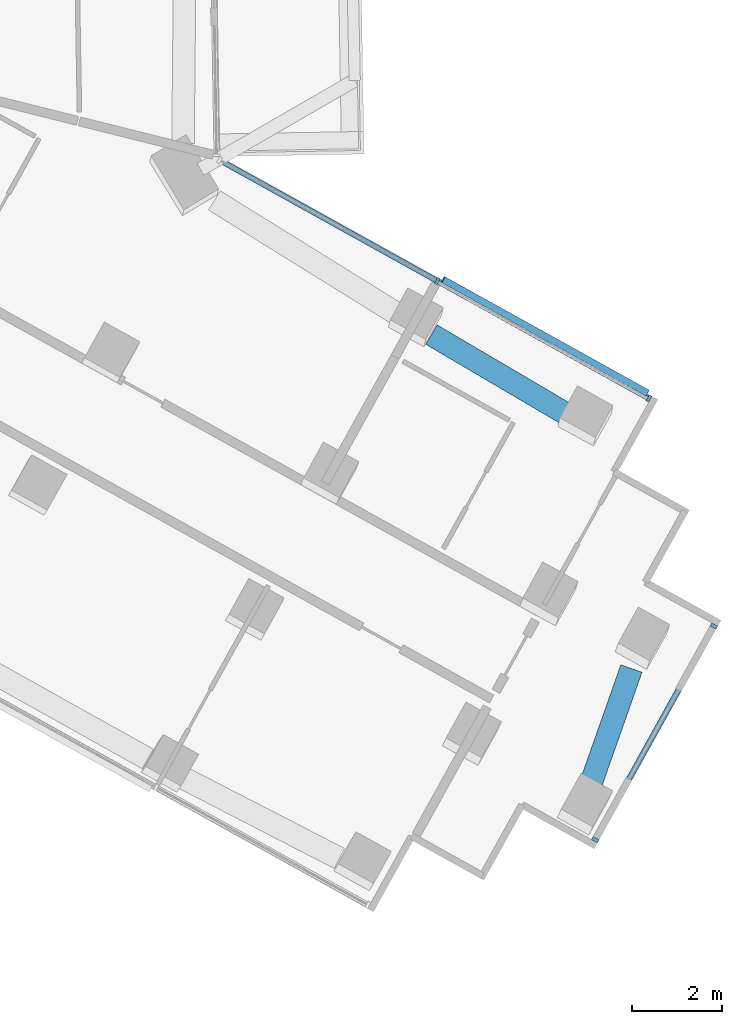
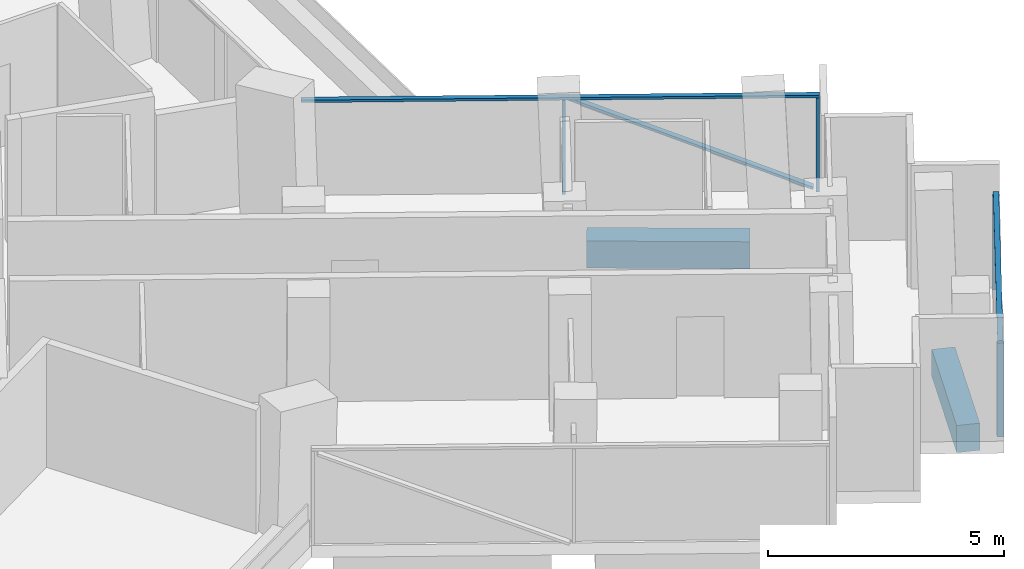
# One storey, part 11 of 25: 7 members, 2 beams, 2 elements without a shape of their own.
"""IFC4 building model written with IfcOpenShell, lengths in metres."""

from ifc_helpers import new_model, si_unit, direction, frame, origin, origin_2d, place, context, subcontext, project, spatial, rectangle, extrude, material, layer, layer_set, material_profile, profile_set, type_object, element, aggregate, save


model = new_model("IFC4")

# Units and contexts
model_context = context("Model", 3, precision=1e-05, world=origin(), true_north=direction((0.0, 1.0)))
body_context = subcontext(model_context, "Body", "Model", "MODEL_VIEW")
ifc_project = project(units=[si_unit("LENGTHUNIT", "METRE"), si_unit("AREAUNIT", "SQUARE_METRE"), si_unit("VOLUMEUNIT", "CUBIC_METRE"), si_unit("PLANEANGLEUNIT", "RADIAN"), si_unit("MASSUNIT", "GRAM", prefix="KILO")], contexts=[model_context])

# Site, building, storey
site_placement = place(None, origin())
site = spatial("IfcSite", under=ifc_project, at=site_placement, CompositionType="ELEMENT")
building_placement = place(site_placement, origin())
building = spatial("IfcBuilding", under=site, at=building_placement, Name="Verdalira Terraces Hotel", CompositionType="ELEMENT")
storey_placement = place(building_placement, frame((0.0, 0.0, 39.0)))
storey = spatial("IfcBuildingStorey", under=building, at=storey_placement, Name="L07", CompositionType="ELEMENT", Elevation=39.0)

# Curtain wall, members
ifc_material_1 = material(Name="Clear glass", Category="glass")
ifc_layer_1 = layer(ifc_material_1, 0.14990234375)
ifc_layer_set_1 = layer_set([ifc_layer_1], Name="CW2 curtain wall")
curtain_wall_type_1 = type_object("IfcCurtainWallType", Name="CW2 curtain wall", PredefinedType="NOTDEFINED", material=ifc_layer_set_1)
curtain_wall_1_placement = place(storey_placement, origin())
curtain_wall_1 = element("IfcCurtainWall", 1, at=curtain_wall_1_placement, inside=storey, type_object=curtain_wall_type_1, Name="CW2 curtain wall L07 edge 38", PredefinedType="NOTDEFINED")
ifc_material_2 = material(Name="Terracotta frame", Category="masonry")
ifc_material_profile_1 = material_profile(ifc_material_2, rectangle(XDim=0.070068, YDim=0.149902, at=origin_2d()), Name="MU 70x150")
ifc_profile_set_1 = profile_set([ifc_material_profile_1], Name="Terracotta frame")
member_type_1 = type_object("IfcMemberType", Name="CW2 mullion 70x150", PredefinedType="MULLION", material=ifc_profile_set_1)
member_1_placement = place(storey_placement, frame((33.88501, -11.464844, 0.0), z_axis=(0.0, 0.0, 1.0), x_axis=(-0.874281033, 0.485420102, 0.0)))
member_1 = element("IfcMember", 2, at=member_1_placement, type_object=member_type_1, Name="CW2 mullion", PredefinedType="MULLION", context=body_context, shape_type="SweptSolid", body=[
    extrude(rectangle(XDim=0.070068, YDim=0.149902, at=origin_2d()), origin(), (0.0, 0.0, 1.0), 2.425049),
])
member_2_placement = place(storey_placement, frame((29.187012, -8.856445, 0.0), z_axis=(0.0, 0.0, 1.0), x_axis=(-0.874281033, 0.485420102, 0.0)))
member_2 = element("IfcMember", 3, at=member_2_placement, type_object=member_type_1, Name="CW2 mullion", PredefinedType="MULLION", context=body_context, shape_type="SweptSolid", body=[
    extrude(rectangle(XDim=0.070068, YDim=0.149902, at=origin_2d()), origin(), (0.0, 0.0, 1.0), 2.425049),
])
ifc_material_3 = material(Name="Terracotta frame", Category="masonry")
ifc_material_profile_2 = material_profile(ifc_material_3, rectangle(XDim=0.11499, YDim=0.064941, at=origin_2d()), Name="TR 65x115")
ifc_profile_set_2 = profile_set([ifc_material_profile_2], Name="Terracotta frame")
member_type_2 = type_object("IfcMemberType", Name="CW2 transom 65x115", PredefinedType="USERDEFINED", material=ifc_profile_set_2)
member_3_placement = place(storey_placement, frame((33.915527, -11.481689, 2.45752), z_axis=(-0.874283256, 0.485416098, 0.0), x_axis=(-0.485416098, -0.874283256, 0.0)))
member_3 = element("IfcMember", 4, at=member_3_placement, type_object=member_type_2, Name="CW2 transom", ObjectType="TRANSOM", PredefinedType="USERDEFINED", context=body_context, shape_type="SweptSolid", body=[
    extrude(rectangle(XDim=0.11499, YDim=0.064941, at=origin_2d()), origin(), (0.0, 0.0, 1.0), 10.966797),
])

ifc_material_4 = material(Name="Clear glass", Category="glass")
ifc_layer_2 = layer(ifc_material_4, 0.14990234375)
ifc_layer_set_2 = layer_set([ifc_layer_2], Name="CW3 curtain wall")
curtain_wall_type_2 = type_object("IfcCurtainWallType", Name="CW3 curtain wall", PredefinedType="NOTDEFINED", material=ifc_layer_set_2)
curtain_wall_2_placement = place(storey_placement, origin())
curtain_wall_2 = element("IfcCurtainWall", 5, at=curtain_wall_2_placement, inside=storey, type_object=curtain_wall_type_2, Name="CW3 curtain wall L07 edge 33", PredefinedType="NOTDEFINED")
ifc_material_5 = material(Name="Terracotta frame", Category="masonry")
ifc_material_profile_3 = material_profile(ifc_material_5, rectangle(XDim=0.080078, YDim=0.149902, at=origin_2d()), Name="MU 80x150")
ifc_profile_set_3 = profile_set([ifc_material_profile_3], Name="Terracotta frame")
member_type_3 = type_object("IfcMemberType", Name="CW3 mullion 80x150", PredefinedType="MULLION", material=ifc_profile_set_3)
member_4_placement = place(storey_placement, frame((32.694336, -21.252197, 0.0), z_axis=(0.0, 0.0, 1.0), x_axis=(0.485420102, 0.874281033, 0.0)))
member_4 = element("IfcMember", 6, at=member_4_placement, type_object=member_type_3, Name="CW3 mullion", PredefinedType="MULLION", context=body_context, shape_type="SweptSolid", body=[
    extrude(rectangle(XDim=0.080078, YDim=0.149902, at=origin_2d()), origin(), (0.0, 0.0, 1.0), 2.425049),
])
member_5_placement = place(storey_placement, frame((35.325195, -16.513672, 0.0), z_axis=(0.0, 0.0, 1.0), x_axis=(0.485420102, 0.874281033, 0.0)))
member_5 = element("IfcMember", 7, at=member_5_placement, type_object=member_type_3, Name="CW3 mullion", PredefinedType="MULLION", context=body_context, shape_type="SweptSolid", body=[
    extrude(rectangle(XDim=0.080078, YDim=0.149902, at=origin_2d()), origin(), (0.0, 0.0, 1.0), 2.425049),
])
ifc_material_6 = material(Name="Terracotta frame", Category="masonry")
ifc_material_profile_4 = material_profile(ifc_material_6, rectangle(XDim=0.120117, YDim=0.064941, at=origin_2d()), Name="TR 65x120")
ifc_profile_set_4 = profile_set([ifc_material_profile_4], Name="Terracotta frame")
member_type_4 = type_object("IfcMemberType", Name="CW3 transom 65x120", PredefinedType="USERDEFINED", material=ifc_profile_set_4)
member_6_placement = place(storey_placement, frame((32.674805, -21.287354, 2.45752), z_axis=(0.485431863, 0.874274503, 0.0), x_axis=(-0.874274503, 0.485431863, 0.0)))
member_6 = element("IfcMember", 8, at=member_6_placement, type_object=member_type_4, Name="CW3 transom", ObjectType="TRANSOM", PredefinedType="USERDEFINED", context=body_context, shape_type="SweptSolid", body=[
    extrude(rectangle(XDim=0.120117, YDim=0.064941, at=origin_2d()), origin(), (0.0, 0.0, 1.0), 5.5),
])
aggregate(curtain_wall_2, [member_4, member_5, member_6])

# Member
ifc_material_7 = material(Name="Terracotta frame", Category="masonry")
ifc_material_profile_5 = material_profile(ifc_material_7, rectangle(XDim=0.149902, YDim=0.060059, at=origin_2d()), Name="GB 60x150")
ifc_profile_set_5 = profile_set([ifc_material_profile_5], Name="Terracotta frame")
member_type_5 = type_object("IfcMemberType", Name="Diagonal glazing bar 60x150", PredefinedType="USERDEFINED", material=ifc_profile_set_5)
member_7_placement = place(storey_placement, frame((33.844727, -11.338379, 0.028076), z_axis=(-0.795091514, 0.441455587, 0.415868307), x_axis=(-0.485422835, -0.874279516, 0.0)))
member_7 = element("IfcMember", 9, at=member_7_placement, type_object=member_type_5, Name="Diagonal glazing bar", ObjectType="GLAZING BAR", PredefinedType="USERDEFINED", context=body_context, shape_type="SweptSolid", body=[
    extrude(rectangle(XDim=0.149902, YDim=0.060059, at=origin_2d()), origin(), (0.0, 0.0, 1.0), 5.696289),
])

aggregate(curtain_wall_1, [member_1, member_2, member_3, member_7])

# Beams
ifc_material_8 = material(Name="Concrete C70", Category="concrete")
ifc_material_profile_6 = material_profile(ifc_material_8, rectangle(XDim=0.5, YDim=0.699951, at=origin_2d()), Name="RC 500X700")
ifc_profile_set_6 = profile_set([ifc_material_profile_6], Name="Concrete C70")
beam_type = type_object("IfcBeamType", Name="Spandrel beam RC 500X700 C70", PredefinedType="SPANDREL", material=ifc_profile_set_6)
beam_1_placement = place(storey_placement, frame((32.542969, -20.157471, -0.659912), z_axis=(0.332392104, 0.943141288, 0.0), x_axis=(-0.943141288, 0.332392104, 0.0)))
element("IfcBeam", 10, at=beam_1_placement, inside=storey, type_object=beam_type, Name="Spandrel beam B27", PredefinedType="SPANDREL", context=body_context, shape_type="SweptSolid", body=[
    extrude(rectangle(XDim=0.5, YDim=0.699951, at=origin_2d()), origin(), (0.0, 0.0, 1.0), 2.864502),
])
beam_2_placement = place(storey_placement, frame((32.036621, -11.798828, -0.659912), z_axis=(-0.861808827, 0.507233226, 0.0), x_axis=(-0.507233226, -0.861808827, 0.0)))
element("IfcBeam", 11, at=beam_2_placement, inside=storey, type_object=beam_type, Name="Spandrel beam B28", PredefinedType="SPANDREL", context=body_context, shape_type="SweptSolid", body=[
    extrude(rectangle(XDim=0.5, YDim=0.699951, at=origin_2d()), origin(), (0.0, 0.0, 1.0), 3.454346),
])

save(model, "model.ifc")
